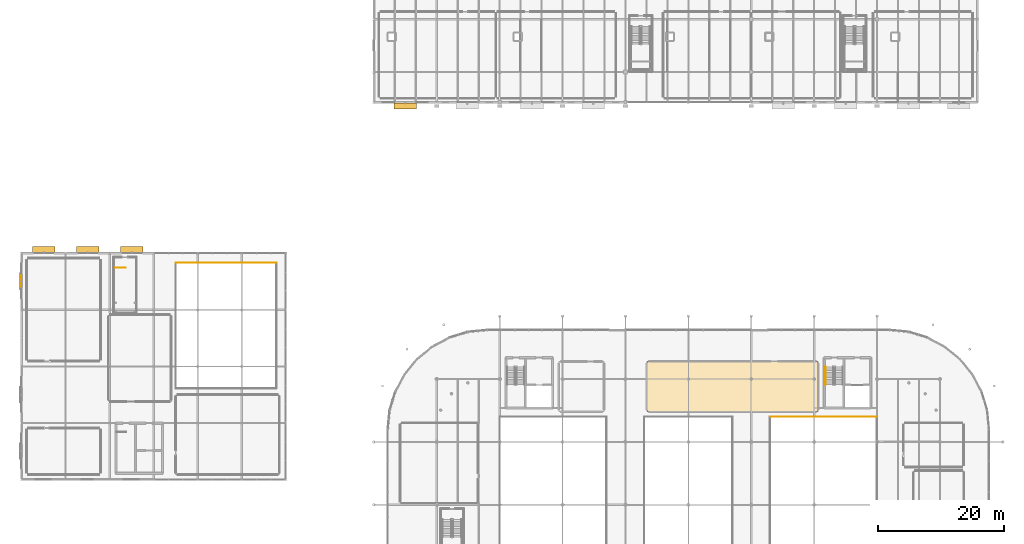
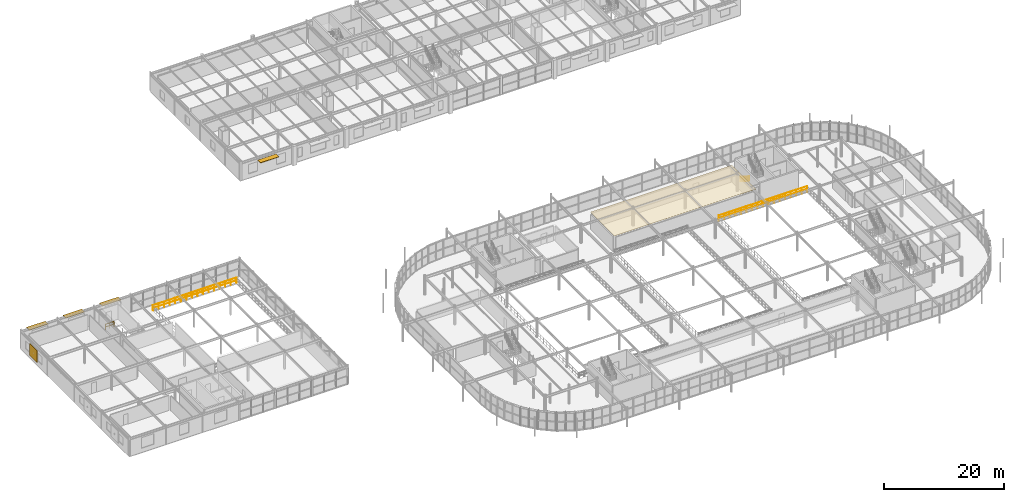
# One storey, part 92 of 98: 5 shading devices, 4 railings, 1 covering.
"""IFC4 building model written with IfcOpenShell, lengths in metres."""

from ifc_helpers import new_model, si_unit, derived_unit, direction, frame, origin, origin_2d_with_axis, place, context, subcontext, project, spatial, polyline, rectangle, circle, outline, extrude, material, layer, layer_set, type_object, element, save


model = new_model("IFC4")

# Units and contexts
model_context = context("Model", 3, precision=1e-05, world=origin(), true_north=direction((0.0, 1.0)))
body_context = subcontext(model_context, "Body", "Model", "MODEL_VIEW")
ifc_project = project(units=[si_unit("LENGTHUNIT", "METRE"), si_unit("AREAUNIT", "SQUARE_METRE"), si_unit("VOLUMEUNIT", "CUBIC_METRE"), si_unit("PLANEANGLEUNIT", "RADIAN"), si_unit("MASSUNIT", "GRAM", prefix="KILO"), derived_unit("THERMALTRANSMITTANCEUNIT", [(si_unit("POWERUNIT", "WATT"), 1), (si_unit("LENGTHUNIT", "METRE"), -2), (si_unit("THERMODYNAMICTEMPERATUREUNIT", "KELVIN"), -1)])], contexts=[model_context])

# Site, building, storey
site_placement = place(None, origin())
site = spatial("IfcSite", under=ifc_project, at=site_placement, CompositionType="ELEMENT")
building_placement = place(site_placement, origin())
building = spatial("IfcBuilding", under=site, at=building_placement, Name="Cinnabar Yard Market Hall", CompositionType="ELEMENT")
storey_placement = place(building_placement, frame((0.0, 0.0, 4.5)))
storey = spatial("IfcBuildingStorey", under=building, at=storey_placement, Name="L01", CompositionType="ELEMENT", Elevation=4.5)

# Covering
ifc_material_1 = material(Name="Perforated acoustic spotted-gum timber slats", Category="wood")
ifc_layer_1 = layer(ifc_material_1, 0.0400390625)
ifc_layer_set_1 = layer_set([ifc_layer_1], Name="Perforated acoustic spotted-gum timber slats")
covering_type = type_object("IfcCoveringType", Name="COV-CLG1", PredefinedType="CEILING", material=ifc_layer_set_1)
covering_placement = place(storey_placement, frame((0.0, 0.0, 3.2900390625)))
element("IfcCovering", 1, at=covering_placement, inside=storey, type_object=covering_type, Name="Ceiling North-East Mezzanine Preserves Stall Gallery", PredefinedType="CEILING", context=body_context, shape_type="SweptSolid", body=[
    extrude(outline(polyline([(109.39990234375, 58.800048828125), (136.60009765625, 58.800048828125), (136.60009765625, 66.800048828125), (109.39990234375, 66.800048828125), (109.39990234375, 58.800048828125)])), origin(), (0.0, 0.0, 1.0), 0.034912109375),
])

# Railings
ifc_material_2 = material(Name="Laminated glass and bronze handrail", Category="glass")
ifc_layer_2 = layer(ifc_material_2, 0.070068359375)
ifc_layer_set_2 = layer_set([ifc_layer_2], Name="Laminated glass and bronze handrail")
railing_type_1 = type_object("IfcRailingType", Name="RL-G01", PredefinedType="BALUSTRADE", material=ifc_layer_set_2)
railing_1_placement = place(storey_placement, frame((24.89990234375, 81.699951171875, 0.0)))
element("IfcRailing", 2, at=railing_1_placement, inside=storey, type_object=railing_type_1, Name="L01 ST-F3 top well guard 1", PredefinedType="BALUSTRADE", context=body_context, shape_type="SweptSolid", body=[
    extrude(circle(Radius=0.02392578125, at=origin_2d_with_axis()), frame((0.0, 0.0, 1.09619140625), z_axis=(1.0, 0.0, 0.0), x_axis=(0.0, 1.0, 0.0)), (0.0, 0.0, 1.0), 1.610107421875),
    extrude(circle(Radius=0.02392578125, at=origin_2d_with_axis()), frame((0.0, 0.0, 0.550048828125), z_axis=(1.0, 0.0, 0.0), x_axis=(0.0, 1.0, 0.0)), (0.0, 0.0, 1.0), 1.610107421875),
    extrude(circle(Radius=0.02099609375, at=origin_2d_with_axis()), origin(), (0.0, 0.0, 1.0), 1.072021484375),
    extrude(circle(Radius=0.02099609375, at=origin_2d_with_axis()), frame((0.80517578125, 0.0, 0.0)), (0.0, 0.0, 1.0), 1.072021484375),
    extrude(circle(Radius=0.02099609375, at=origin_2d_with_axis()), frame((1.610107421875, 0.0, 0.0)), (0.0, 0.0, 1.0), 1.072021484375),
])
railing_2_placement = place(storey_placement, frame((146.0, 58.0, 0.0)))
element("IfcRailing", 3, at=railing_2_placement, inside=storey, type_object=railing_type_1, Name="L01 Mezzanine Void 3 Balustrade 3", PredefinedType="BALUSTRADE", context=body_context, shape_type="SweptSolid", body=[
    extrude(circle(Radius=0.02392578125, at=origin_2d_with_axis()), frame((0.0, 0.0, 1.09619140625), z_axis=(-1.0, 0.0, 0.0), x_axis=(0.0, -1.0, 0.0)), (0.0, 0.0, 1.0), 17.0),
    extrude(circle(Radius=0.02392578125, at=origin_2d_with_axis()), frame((0.0, 0.0, 0.550048828125), z_axis=(-1.0, 0.0, 0.0), x_axis=(0.0, -1.0, 0.0)), (0.0, 0.0, 1.0), 17.0),
    extrude(circle(Radius=0.02099609375, at=origin_2d_with_axis()), origin(), (0.0, 0.0, 1.0), 1.072021484375),
    extrude(circle(Radius=0.02099609375, at=origin_2d_with_axis()), frame((-1.0625, 0.0, 0.0)), (0.0, 0.0, 1.0), 1.072021484375),
    extrude(circle(Radius=0.02099609375, at=origin_2d_with_axis()), frame((-2.125, 0.0, 0.0)), (0.0, 0.0, 1.0), 1.072021484375),
    extrude(circle(Radius=0.02099609375, at=origin_2d_with_axis()), frame((-3.1875, 0.0, 0.0)), (0.0, 0.0, 1.0), 1.072021484375),
    extrude(circle(Radius=0.02099609375, at=origin_2d_with_axis()), frame((-4.25, 0.0, 0.0)), (0.0, 0.0, 1.0), 1.072021484375),
    extrude(circle(Radius=0.02099609375, at=origin_2d_with_axis()), frame((-5.3125, 0.0, 0.0)), (0.0, 0.0, 1.0), 1.072021484375),
    extrude(circle(Radius=0.02099609375, at=origin_2d_with_axis()), frame((-6.375, 0.0, 0.0)), (0.0, 0.0, 1.0), 1.072021484375),
    extrude(circle(Radius=0.02099609375, at=origin_2d_with_axis()), frame((-7.4375, 0.0, 0.0)), (0.0, 0.0, 1.0), 1.072021484375),
    extrude(circle(Radius=0.02099609375, at=origin_2d_with_axis()), frame((-8.5, 0.0, 0.0)), (0.0, 0.0, 1.0), 1.072021484375),
    extrude(circle(Radius=0.02099609375, at=origin_2d_with_axis()), frame((-9.5625, 0.0, 0.0)), (0.0, 0.0, 1.0), 1.072021484375),
    extrude(circle(Radius=0.02099609375, at=origin_2d_with_axis()), frame((-10.625, 0.0, 0.0)), (0.0, 0.0, 1.0), 1.072021484375),
    extrude(circle(Radius=0.02099609375, at=origin_2d_with_axis()), frame((-11.6875, 0.0, 0.0)), (0.0, 0.0, 1.0), 1.072021484375),
    extrude(circle(Radius=0.02099609375, at=origin_2d_with_axis()), frame((-12.75, 0.0, 0.0)), (0.0, 0.0, 1.0), 1.072021484375),
    extrude(circle(Radius=0.02099609375, at=origin_2d_with_axis()), frame((-13.8125, 0.0, 0.0)), (0.0, 0.0, 1.0), 1.072021484375),
    extrude(circle(Radius=0.02099609375, at=origin_2d_with_axis()), frame((-14.875, 0.0, 0.0)), (0.0, 0.0, 1.0), 1.072021484375),
    extrude(circle(Radius=0.02099609375, at=origin_2d_with_axis()), frame((-15.9375, 0.0, 0.0)), (0.0, 0.0, 1.0), 1.072021484375),
    extrude(circle(Radius=0.02099609375, at=origin_2d_with_axis()), frame((-17.0, 0.0, 0.0)), (0.0, 0.0, 1.0), 1.072021484375),
])
railing_3_placement = place(storey_placement, frame((50.5, 82.5, 0.0)))
element("IfcRailing", 4, at=railing_3_placement, inside=storey, type_object=railing_type_1, Name="Food Court Void Balustrade 3", PredefinedType="BALUSTRADE", context=body_context, shape_type="SweptSolid", body=[
    extrude(circle(Radius=0.02392578125, at=origin_2d_with_axis()), frame((0.0, 0.0, 1.09619140625), z_axis=(-1.0, 0.0, 0.0), x_axis=(0.0, -1.0, 0.0)), (0.0, 0.0, 1.0), 16.0),
    extrude(circle(Radius=0.02392578125, at=origin_2d_with_axis()), frame((0.0, 0.0, 0.550048828125), z_axis=(-1.0, 0.0, 0.0), x_axis=(0.0, -1.0, 0.0)), (0.0, 0.0, 1.0), 16.0),
    extrude(circle(Radius=0.02099609375, at=origin_2d_with_axis()), origin(), (0.0, 0.0, 1.0), 1.072021484375),
    extrude(circle(Radius=0.02099609375, at=origin_2d_with_axis()), frame((-1.066650390625, 0.0, 0.0)), (0.0, 0.0, 1.0), 1.072021484375),
    extrude(circle(Radius=0.02099609375, at=origin_2d_with_axis()), frame((-2.13330078125, 0.0, 0.0)), (0.0, 0.0, 1.0), 1.072021484375),
    extrude(circle(Radius=0.02099609375, at=origin_2d_with_axis()), frame((-3.199951171875, 0.0, 0.0)), (0.0, 0.0, 1.0), 1.072021484375),
    extrude(circle(Radius=0.02099609375, at=origin_2d_with_axis()), frame((-4.2666015625, 0.0, 0.0)), (0.0, 0.0, 1.0), 1.072021484375),
    extrude(circle(Radius=0.02099609375, at=origin_2d_with_axis()), frame((-5.333251953125, 0.0, 0.0)), (0.0, 0.0, 1.0), 1.072021484375),
    extrude(circle(Radius=0.02099609375, at=origin_2d_with_axis()), frame((-6.39990234375, 0.0, 0.0)), (0.0, 0.0, 1.0), 1.072021484375),
    extrude(circle(Radius=0.02099609375, at=origin_2d_with_axis()), frame((-7.466552734375, 0.0, 0.0)), (0.0, 0.0, 1.0), 1.072021484375),
    extrude(circle(Radius=0.02099609375, at=origin_2d_with_axis()), frame((-8.533447265625, 0.0, 0.0)), (0.0, 0.0, 1.0), 1.072021484375),
    extrude(circle(Radius=0.02099609375, at=origin_2d_with_axis()), frame((-9.60009765625, 0.0, 0.0)), (0.0, 0.0, 1.0), 1.072021484375),
    extrude(circle(Radius=0.02099609375, at=origin_2d_with_axis()), frame((-10.666748046875, 0.0, 0.0)), (0.0, 0.0, 1.0), 1.072021484375),
    extrude(circle(Radius=0.02099609375, at=origin_2d_with_axis()), frame((-11.7333984375, 0.0, 0.0)), (0.0, 0.0, 1.0), 1.072021484375),
    extrude(circle(Radius=0.02099609375, at=origin_2d_with_axis()), frame((-12.800048828125, 0.0, 0.0)), (0.0, 0.0, 1.0), 1.072021484375),
    extrude(circle(Radius=0.02099609375, at=origin_2d_with_axis()), frame((-13.86669921875, 0.0, 0.0)), (0.0, 0.0, 1.0), 1.072021484375),
    extrude(circle(Radius=0.02099609375, at=origin_2d_with_axis()), frame((-14.933349609375, 0.0, 0.0)), (0.0, 0.0, 1.0), 1.072021484375),
    extrude(circle(Radius=0.02099609375, at=origin_2d_with_axis()), frame((-16.0, 0.0, 0.0)), (0.0, 0.0, 1.0), 1.072021484375),
])
ifc_material_3 = material(Name="Brushed stainless steel handrail", Category="steel")
ifc_layer_3 = layer(ifc_material_3, 0.050048828125)
ifc_layer_set_3 = layer_set([ifc_layer_3], Name="Brushed stainless steel handrail")
railing_type_2 = type_object("IfcRailingType", Name="RL-HR1", PredefinedType="HANDRAIL", material=ifc_layer_set_3)
railing_4_placement = place(storey_placement, frame((137.7900390625, 65.909912109375, 0.17724609375)))
element("IfcRailing", 5, at=railing_4_placement, inside=storey, type_object=railing_type_2, Name="L01 ST-C7 stair handrail 1", PredefinedType="HANDRAIL", context=body_context, shape_type="SweptSolid", body=[
    extrude(circle(Radius=0.02392578125, at=origin_2d_with_axis()), frame((0.0, 0.0, 0.8759765625), z_axis=(0.0, -0.844887892834, 0.53494340686), x_axis=(1.0, 0.0, 0.0)), (0.0, 0.0, 1.0), 3.313720703125),
    extrude(circle(Radius=0.02099609375, at=origin_2d_with_axis()), origin(), (0.0, 0.0, 1.0), 0.851806640625),
    extrude(circle(Radius=0.02099609375, at=origin_2d_with_axis()), frame((0.0, -0.699951171875, 0.443115234375)), (0.0, 0.0, 1.0), 0.851806640625),
    extrude(circle(Radius=0.02099609375, at=origin_2d_with_axis()), frame((0.0, -1.39990234375, 0.88623046875)), (0.0, 0.0, 1.0), 0.851806640625),
    extrude(circle(Radius=0.02099609375, at=origin_2d_with_axis()), frame((0.0, -2.099853515625, 1.32958984375)), (0.0, 0.0, 1.0), 0.851806640625),
    extrude(circle(Radius=0.02099609375, at=origin_2d_with_axis()), frame((0.0, -2.7998046875, 1.772705078125)), (0.0, 0.0, 1.0), 0.851806640625),
])

# Shading devices
ifc_material_4 = material(Name="Projecting sandstone-clad steel chhajja hood", Category="masonry")
shading_device_type_1 = type_object("IfcShadingDeviceType", Name="SHD-CHJ1", PredefinedType="SHUTTER", material=ifc_material_4)
for number, where, z_axis, x_axis, name in (
    (6, (13.5, 84.60009765625, 2.96484375), (0.0, 0.0, 1.0), (1.0, 0.0, 0.0), "Pavilion North Chhajja L01 Bay 1"),
    (7, (20.5, 84.60009765625, 2.96484375), (0.0, 0.0, 1.0), (1.0, 0.0, 0.0), "Pavilion North Chhajja L01 Bay 2"),
    (8, (27.5, 84.60009765625, 2.96484375), (0.0, 0.0, 1.0), (1.0, 0.0, 0.0), "Pavilion North Chhajja L01 Bay 3"),
    (9, (71.0009765625, 107.39990234375, 2.96484375), (0.0, 0.0, 1.0), (1.0, 0.0, 0.0), "Wing South Chhajja Hood L01 Bay 1"),
):
    element("IfcShadingDevice", number, at=place(storey_placement, frame(where, z_axis=z_axis, x_axis=x_axis)), inside=storey, type_object=shading_device_type_1, Name=name, PredefinedType="SHUTTER", context=body_context, shape_type="SweptSolid", body=[
        extrude(rectangle(XDim=3.60009765625, YDim=0.949951171875, at=origin_2d_with_axis()), origin(), (0.0, 0.0, 1.0), 0.090087890625),
    ])
ifc_material_5 = material(Name="Perforated red-anodised aluminium jali screen", Category="aluminium")
shading_device_type_2 = type_object("IfcShadingDeviceType", Name="SHD-JALI2", PredefinedType="JALOUSIE", material=ifc_material_5)
shading_device_placement = place(storey_placement, frame((9.800048828125, 79.5, 0.650146484375), z_axis=(0.0, 0.0, 1.0), x_axis=(1.0, 0.0, 0.0)))
element("IfcShadingDevice", 10, at=shading_device_placement, inside=storey, type_object=shading_device_type_2, Name="Pavilion West Jali Screen L01-4", PredefinedType="JALOUSIE", context=body_context, shape_type="SweptSolid", body=[
    extrude(rectangle(XDim=0.080078125, YDim=2.39990234375, at=origin_2d_with_axis()), origin(), (0.0, 0.0, 1.0), 2.39990234375),
])

save(model, "model.ifc")
